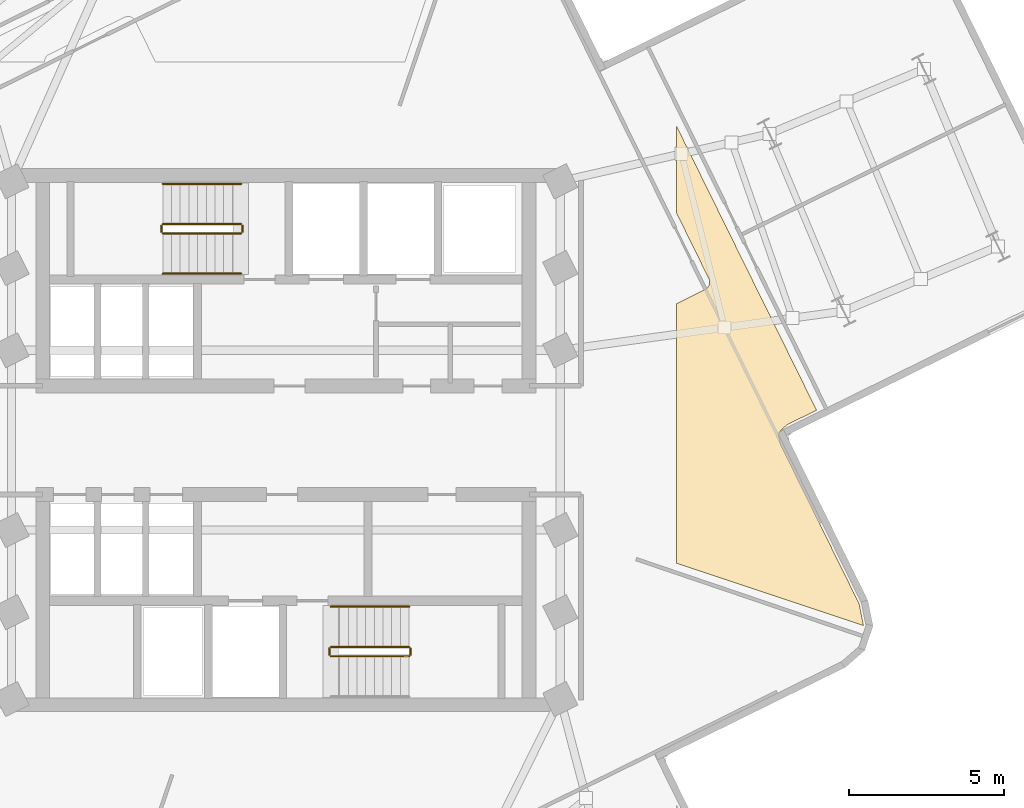
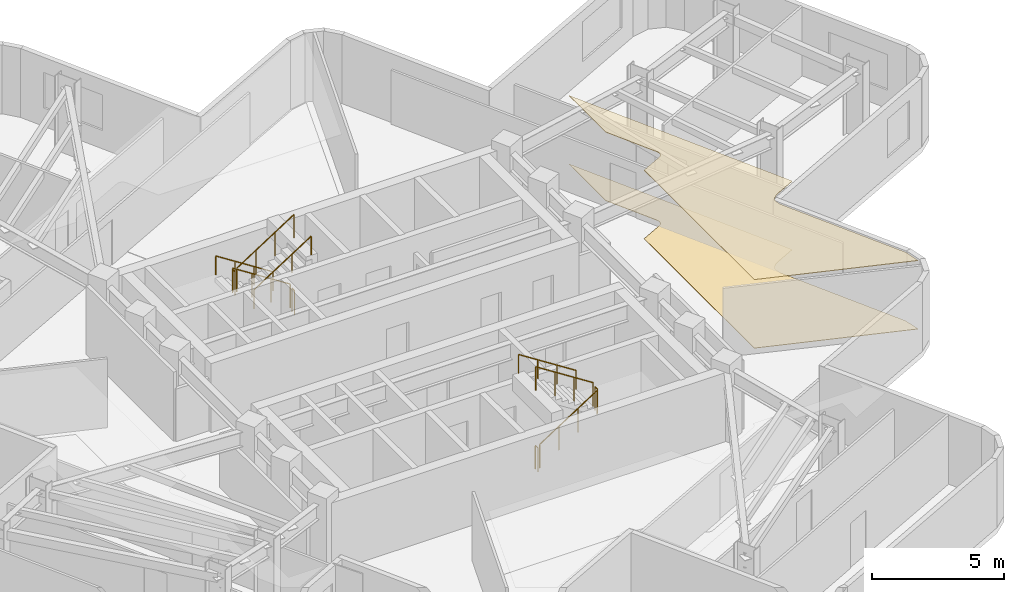
# One storey, part 10 of 11: 11 railings, 2 coverings.
"""IFC4 building model written with IfcOpenShell, lengths in metres."""

from ifc_helpers import new_model, si_unit, direction, frame, origin, origin_2d, place, context, subcontext, project, spatial, polyline, circle, outline, extrude, material, layer, layer_set, type_object, element, save


model = new_model("IFC4")

# Units and contexts
model_context = context("Model", 3, precision=1e-05, world=origin(), true_north=direction((0.0, 1.0)))
body_context = subcontext(model_context, "Body", "Model", "MODEL_VIEW")
ifc_project = project(units=[si_unit("LENGTHUNIT", "METRE"), si_unit("AREAUNIT", "SQUARE_METRE"), si_unit("VOLUMEUNIT", "CUBIC_METRE"), si_unit("PLANEANGLEUNIT", "RADIAN"), si_unit("MASSUNIT", "GRAM", prefix="KILO")], contexts=[model_context])

# Site, building, storey
site_placement = place(None, origin())
site = spatial("IfcSite", under=ifc_project, at=site_placement, CompositionType="ELEMENT")
building_placement = place(site_placement, origin())
building = spatial("IfcBuilding", under=site, at=building_placement, Name="Solmarez Civic Tower", CompositionType="ELEMENT")
storey_placement = place(building_placement, frame((0.0, 0.0, 192.60009765625)))
storey = spatial("IfcBuildingStorey", under=building, at=storey_placement, Name="L51", CompositionType="ELEMENT", Elevation=192.60009765625)

# Coverings
ifc_material_1 = material(Name="Perforated Mineral-Fibre Acoustic Ceiling")
ifc_layer_1 = layer(ifc_material_1, 0.02490234375)
ifc_layer_set_1 = layer_set([ifc_layer_1], Name="Perforated Mineral-Fibre Acoustic Ceiling")
covering_type_1 = type_object("IfcCoveringType", Name="COV-CEIL-ACOUSTIC", PredefinedType="CEILING", material=ifc_layer_set_1)
covering_1_placement = place(storey_placement, frame((0.0, 0.0, 3.1748046875)))
element("IfcCovering", 1, at=covering_1_placement, inside=storey, type_object=covering_type_1, Name="L51 Suspended Acoustic Ceiling 4", PredefinedType="CEILING", context=body_context, shape_type="SweptSolid", body=[
    extrude(outline(polyline([(12.60009765625, 10.12890625), (12.60009765625, 7.324951171875), (13.639892578125, 5.212890625), (13.64794921875, 5.196044921875), (13.654052734375, 5.177978515625), (13.658935546875, 5.158935546875), (13.659912109375, 5.154052734375), (13.660888671875, 5.14892578125), (13.6640625, 5.1279296875), (13.6650390625, 5.117919921875), (13.666015625, 5.094970703125), (13.6650390625, 5.072021484375), (13.6640625, 5.06298828125), (13.660888671875, 5.04296875), (13.656005859375, 5.02392578125), (13.64892578125, 5.0048828125), (13.64697265625, 5.0), (13.64404296875, 4.992919921875), (13.639892578125, 4.98388671875), (13.6259765625, 4.9560546875), (13.62109375, 4.947998046875), (13.60595703125, 4.927978515625), (13.590087890625, 4.908935546875), (13.5859375, 4.905029296875), (13.56689453125, 4.888916015625), (13.547119140625, 4.8740234375), (13.5419921875, 4.8720703125), (13.532958984375, 4.865966796875), (13.514892578125, 4.85595703125), (12.60009765625, 4.405029296875), (12.60009765625, -3.970947265625), (18.625, -5.98095703125), (18.6279296875, -5.97412109375), (18.489990234375, -5.279052734375), (15.969970703125, -0.16796875), (15.967041015625, -0.162109375), (15.958984375, -0.14404296875), (15.951904296875, -0.1240234375), (15.949951171875, -0.116943359375), (15.947998046875, -0.110107421875), (15.944091796875, -0.092041015625), (15.910888671875, 0.076904296875), (15.908935546875, 0.087890625), (15.907958984375, 0.09912109375), (15.906982421875, 0.10693359375), (15.905029296875, 0.134033203125), (15.905029296875, 0.14111328125), (15.906982421875, 0.16796875), (15.909912109375, 0.18701171875), (15.912109375, 0.194091796875), (15.9140625, 0.2060546875), (15.9189453125, 0.22509765625), (15.926025390625, 0.242919921875), (15.931884765625, 0.257080078125), (15.943115234375, 0.279052734375), (15.947021484375, 0.285888671875), (15.955078125, 0.299072265625), (15.958984375, 0.304931640625), (15.972900390625, 0.323974609375), (15.97802734375, 0.330078125), (15.990966796875, 0.344970703125), (15.99609375, 0.35009765625), (16.007080078125, 0.35888671875), (16.136962890625, 0.472900390625), (16.14501953125, 0.47998046875), (16.14990234375, 0.48388671875), (16.1650390625, 0.4951171875), (16.1708984375, 0.4990234375), (16.195068359375, 0.512939453125), (16.201904296875, 0.51611328125), (17.115966796875, 0.967041015625), (12.60009765625, 10.12890625)])), origin(), (0.0, 0.0, 1.0), 0.025146484375),
])
ifc_material_2 = material(Name="Polished Tropical Stone Terrazzo Flooring", Category="masonry")
ifc_layer_2 = layer(ifc_material_2, 0.02001953125)
ifc_layer_set_2 = layer_set([ifc_layer_2], Name="Polished Tropical Stone Terrazzo Flooring")
covering_type_2 = type_object("IfcCoveringType", Name="COV-FLOOR-TERRAZZO", PredefinedType="FLOORING", material=ifc_layer_set_2)
covering_2_placement = place(storey_placement, origin())
element("IfcCovering", 2, at=covering_2_placement, inside=storey, type_object=covering_type_2, Name="L51 Terrazzo Floor Finish 4", PredefinedType="FLOORING", context=body_context, shape_type="SweptSolid", body=[
    extrude(outline(polyline([(12.60009765625, 10.12890625), (12.60009765625, 7.324951171875), (13.639892578125, 5.212890625), (13.64794921875, 5.196044921875), (13.654052734375, 5.177978515625), (13.658935546875, 5.158935546875), (13.659912109375, 5.154052734375), (13.660888671875, 5.14892578125), (13.6640625, 5.1279296875), (13.6650390625, 5.117919921875), (13.666015625, 5.094970703125), (13.6650390625, 5.072021484375), (13.6640625, 5.06298828125), (13.660888671875, 5.04296875), (13.656005859375, 5.02392578125), (13.64892578125, 5.0048828125), (13.64697265625, 5.0), (13.64404296875, 4.992919921875), (13.639892578125, 4.98388671875), (13.6259765625, 4.9560546875), (13.62109375, 4.947998046875), (13.60595703125, 4.927978515625), (13.590087890625, 4.908935546875), (13.5859375, 4.905029296875), (13.56689453125, 4.888916015625), (13.547119140625, 4.8740234375), (13.5419921875, 4.8720703125), (13.532958984375, 4.865966796875), (13.514892578125, 4.85595703125), (12.60009765625, 4.405029296875), (12.60009765625, -3.970947265625), (18.625, -5.98095703125), (18.6279296875, -5.97412109375), (18.489990234375, -5.279052734375), (15.969970703125, -0.16796875), (15.967041015625, -0.162109375), (15.958984375, -0.14404296875), (15.951904296875, -0.1240234375), (15.949951171875, -0.116943359375), (15.947998046875, -0.110107421875), (15.944091796875, -0.092041015625), (15.910888671875, 0.076904296875), (15.908935546875, 0.087890625), (15.907958984375, 0.09912109375), (15.906982421875, 0.10693359375), (15.905029296875, 0.134033203125), (15.905029296875, 0.14111328125), (15.906982421875, 0.16796875), (15.909912109375, 0.18701171875), (15.912109375, 0.194091796875), (15.9140625, 0.2060546875), (15.9189453125, 0.22509765625), (15.926025390625, 0.242919921875), (15.931884765625, 0.257080078125), (15.943115234375, 0.279052734375), (15.947021484375, 0.285888671875), (15.955078125, 0.299072265625), (15.958984375, 0.304931640625), (15.972900390625, 0.323974609375), (15.97802734375, 0.330078125), (15.990966796875, 0.344970703125), (15.99609375, 0.35009765625), (16.007080078125, 0.35888671875), (16.136962890625, 0.472900390625), (16.14501953125, 0.47998046875), (16.14990234375, 0.48388671875), (16.1650390625, 0.4951171875), (16.1708984375, 0.4990234375), (16.195068359375, 0.512939453125), (16.201904296875, 0.51611328125), (17.115966796875, 0.967041015625), (12.60009765625, 10.12890625)])), origin(), (0.0, 0.0, 1.0), 0.02001953125),
])

# Railings
ifc_material_3 = material(Name="Painted Steel Stairwell Safety Guard", Category="steel")
railing_type_1 = type_object("IfcRailingType", Name="GUARD-STAIR-1120", PredefinedType="BALUSTRADE", material=ifc_material_3)
railing_1_placement = place(storey_placement, frame((-1.449951171875, 6.969970703125, 0.179931640625)))
element("IfcRailing", 3, at=railing_1_placement, inside=storey, type_object=railing_type_1, Name="L51 ST-1 stair guard 1", PredefinedType="BALUSTRADE", context=body_context, shape_type="SweptSolid", body=[
    extrude(circle(Radius=0.02392578125, at=origin_2d()), frame((0.0, 0.0, 1.09619140625), z_axis=(-0.841199657755, 0.0, 0.540724639528), x_axis=(0.0, -1.0, 0.0)), (0.0, 0.0, 1.0), 2.995849609375),
    extrude(circle(Radius=0.02099609375, at=origin_2d()), origin(), (0.0, 0.0, 1.0), 1.072021484375),
    extrude(circle(Radius=0.02099609375, at=origin_2d()), frame((-0.840087890625, 0.0, 0.5400390625)), (0.0, 0.0, 1.0), 1.072021484375),
    extrude(circle(Radius=0.02099609375, at=origin_2d()), frame((-1.679931640625, 0.0, 1.079833984375)), (0.0, 0.0, 1.0), 1.072021484375),
    extrude(circle(Radius=0.02099609375, at=origin_2d()), frame((-2.52001953125, 0.0, 1.619873046875)), (0.0, 0.0, 1.0), 1.072021484375),
])
railing_2_placement = place(storey_placement, frame((-4.02001953125, 6.919921875, 1.7998046875)))
element("IfcRailing", 4, at=railing_2_placement, inside=storey, type_object=railing_type_1, Name="L51 ST-1 stair guard 2", PredefinedType="BALUSTRADE", context=body_context, shape_type="SweptSolid", body=[
    extrude(circle(Radius=0.02392578125, at=origin_2d()), frame((0.0, 0.0, 1.09619140625), z_axis=(0.0, -1.0, 0.0), x_axis=(1.0, 0.0, 0.0)), (0.0, 0.0, 1.0), 0.199951171875),
    extrude(circle(Radius=0.02099609375, at=origin_2d()), origin(), (0.0, 0.0, 1.0), 1.072021484375),
    extrude(circle(Radius=0.02099609375, at=origin_2d()), frame((0.0, -0.199951171875, 0.0)), (0.0, 0.0, 1.0), 1.072021484375),
])
railing_3_placement = place(storey_placement, frame((-3.969970703125, 6.669921875, 1.97998046875)))
element("IfcRailing", 5, at=railing_3_placement, inside=storey, type_object=railing_type_1, Name="L51 ST-1 stair guard 3", PredefinedType="BALUSTRADE", context=body_context, shape_type="SweptSolid", body=[
    extrude(circle(Radius=0.02392578125, at=origin_2d()), frame((0.0, 0.0, 1.09619140625), z_axis=(0.841199657755, 0.0, 0.540724639528), x_axis=(0.0, 1.0, 0.0)), (0.0, 0.0, 1.0), 2.995849609375),
    extrude(circle(Radius=0.02099609375, at=origin_2d()), origin(), (0.0, 0.0, 1.0), 1.072021484375),
    extrude(circle(Radius=0.02099609375, at=origin_2d()), frame((0.840087890625, 0.0, 0.5400390625)), (0.0, 0.0, 1.0), 1.072021484375),
    extrude(circle(Radius=0.02099609375, at=origin_2d()), frame((1.679931640625, 0.0, 1.079833984375)), (0.0, 0.0, 1.0), 1.072021484375),
    extrude(circle(Radius=0.02099609375, at=origin_2d()), frame((2.52001953125, 0.0, 1.619873046875)), (0.0, 0.0, 1.0), 1.072021484375),
])
railing_4_placement = place(storey_placement, frame((-1.39990234375, 6.919921875, 0.0)))
element("IfcRailing", 6, at=railing_4_placement, inside=storey, type_object=railing_type_1, Name="L51 ST-1 stair guard 4", PredefinedType="BALUSTRADE", context=body_context, shape_type="SweptSolid", body=[
    extrude(circle(Radius=0.02392578125, at=origin_2d()), frame((0.0, 0.0, 1.09619140625), z_axis=(0.0, -1.0, 0.0), x_axis=(1.0, 0.0, 0.0)), (0.0, 0.0, 1.0), 0.199951171875),
    extrude(circle(Radius=0.02099609375, at=origin_2d()), origin(), (0.0, 0.0, 1.0), 1.072021484375),
    extrude(circle(Radius=0.02099609375, at=origin_2d()), frame((0.0, -0.199951171875, 0.0)), (0.0, 0.0, 1.0), 1.072021484375),
])
railing_5_placement = place(storey_placement, frame((1.449951171875, -6.969970703125, 0.179931640625)))
element("IfcRailing", 7, at=railing_5_placement, inside=storey, type_object=railing_type_1, Name="L51 ST-2 stair guard 1", PredefinedType="BALUSTRADE", context=body_context, shape_type="SweptSolid", body=[
    extrude(circle(Radius=0.02392578125, at=origin_2d()), frame((0.0, 0.0, 1.09619140625), z_axis=(0.841199657755, 0.0, 0.540724639528), x_axis=(0.0, 1.0, 0.0)), (0.0, 0.0, 1.0), 2.995849609375),
    extrude(circle(Radius=0.02099609375, at=origin_2d()), origin(), (0.0, 0.0, 1.0), 1.072021484375),
    extrude(circle(Radius=0.02099609375, at=origin_2d()), frame((0.840087890625, 0.0, 0.5400390625)), (0.0, 0.0, 1.0), 1.072021484375),
    extrude(circle(Radius=0.02099609375, at=origin_2d()), frame((1.679931640625, 0.0, 1.079833984375)), (0.0, 0.0, 1.0), 1.072021484375),
    extrude(circle(Radius=0.02099609375, at=origin_2d()), frame((2.52001953125, 0.0, 1.619873046875)), (0.0, 0.0, 1.0), 1.072021484375),
])
railing_6_placement = place(storey_placement, frame((4.02001953125, -6.919921875, 1.7998046875)))
element("IfcRailing", 8, at=railing_6_placement, inside=storey, type_object=railing_type_1, Name="L51 ST-2 stair guard 2", PredefinedType="BALUSTRADE", context=body_context, shape_type="SweptSolid", body=[
    extrude(circle(Radius=0.02392578125, at=origin_2d()), frame((0.0, 0.0, 1.09619140625), z_axis=(0.0, 1.0, 0.0), x_axis=(-1.0, 0.0, 0.0)), (0.0, 0.0, 1.0), 0.199951171875),
    extrude(circle(Radius=0.02099609375, at=origin_2d()), origin(), (0.0, 0.0, 1.0), 1.072021484375),
    extrude(circle(Radius=0.02099609375, at=origin_2d()), frame((0.0, 0.199951171875, 0.0)), (0.0, 0.0, 1.0), 1.072021484375),
])
railing_7_placement = place(storey_placement, frame((3.969970703125, -6.669921875, 1.97998046875)))
element("IfcRailing", 9, at=railing_7_placement, inside=storey, type_object=railing_type_1, Name="L51 ST-2 stair guard 3", PredefinedType="BALUSTRADE", context=body_context, shape_type="SweptSolid", body=[
    extrude(circle(Radius=0.02392578125, at=origin_2d()), frame((0.0, 0.0, 1.09619140625), z_axis=(-0.841199657755, 0.0, 0.540724639528), x_axis=(0.0, -1.0, 0.0)), (0.0, 0.0, 1.0), 2.995849609375),
    extrude(circle(Radius=0.02099609375, at=origin_2d()), origin(), (0.0, 0.0, 1.0), 1.072021484375),
    extrude(circle(Radius=0.02099609375, at=origin_2d()), frame((-0.840087890625, 0.0, 0.5400390625)), (0.0, 0.0, 1.0), 1.072021484375),
    extrude(circle(Radius=0.02099609375, at=origin_2d()), frame((-1.679931640625, 0.0, 1.079833984375)), (0.0, 0.0, 1.0), 1.072021484375),
    extrude(circle(Radius=0.02099609375, at=origin_2d()), frame((-2.52001953125, 0.0, 1.619873046875)), (0.0, 0.0, 1.0), 1.072021484375),
])
railing_8_placement = place(storey_placement, frame((1.39990234375, -6.919921875, 0.0)))
element("IfcRailing", 10, at=railing_8_placement, inside=storey, type_object=railing_type_1, Name="L51 ST-2 stair guard 4", PredefinedType="BALUSTRADE", context=body_context, shape_type="SweptSolid", body=[
    extrude(circle(Radius=0.02392578125, at=origin_2d()), frame((0.0, 0.0, 1.09619140625), z_axis=(0.0, 1.0, 0.0), x_axis=(-1.0, 0.0, 0.0)), (0.0, 0.0, 1.0), 0.199951171875),
    extrude(circle(Radius=0.02099609375, at=origin_2d()), origin(), (0.0, 0.0, 1.0), 1.072021484375),
    extrude(circle(Radius=0.02099609375, at=origin_2d()), frame((0.0, 0.199951171875, 0.0)), (0.0, 0.0, 1.0), 1.072021484375),
])
ifc_material_4 = material(Name="Brushed Stainless Steel Tube Handrail", Category="steel")
railing_type_2 = type_object("IfcRailingType", Name="HANDRAIL-STAIR-900", PredefinedType="HANDRAIL", material=ifc_material_4)
railing_9_placement = place(storey_placement, frame((-1.449951171875, 8.27001953125, 0.179931640625)))
element("IfcRailing", 11, at=railing_9_placement, inside=storey, type_object=railing_type_2, Name="L51 ST-1 stair handrail 1", PredefinedType="HANDRAIL", context=body_context, shape_type="SweptSolid", body=[
    extrude(circle(Radius=0.02392578125, at=origin_2d()), frame((0.0, 0.0, 0.8759765625), z_axis=(-0.841199657755, 0.0, 0.540724639528), x_axis=(0.0, -1.0, 0.0)), (0.0, 0.0, 1.0), 2.995849609375),
    extrude(circle(Radius=0.02099609375, at=origin_2d()), origin(), (0.0, 0.0, 1.0), 0.851806640625),
    extrude(circle(Radius=0.02099609375, at=origin_2d()), frame((-0.840087890625, 0.0, 0.5400390625)), (0.0, 0.0, 1.0), 0.851806640625),
    extrude(circle(Radius=0.02099609375, at=origin_2d()), frame((-1.679931640625, 0.0, 1.079833984375)), (0.0, 0.0, 1.0), 0.851806640625),
    extrude(circle(Radius=0.02099609375, at=origin_2d()), frame((-2.52001953125, 0.0, 1.619873046875)), (0.0, 0.0, 1.0), 0.851806640625),
])
railing_10_placement = place(storey_placement, frame((-3.969970703125, 5.3701171875, 1.97998046875)))
element("IfcRailing", 12, at=railing_10_placement, inside=storey, type_object=railing_type_2, Name="L51 ST-1 stair handrail 2", PredefinedType="HANDRAIL", context=body_context, shape_type="SweptSolid", body=[
    extrude(circle(Radius=0.02392578125, at=origin_2d()), frame((0.0, 0.0, 0.8759765625), z_axis=(0.841199657755, 0.0, 0.540724639528), x_axis=(0.0, 1.0, 0.0)), (0.0, 0.0, 1.0), 2.995849609375),
    extrude(circle(Radius=0.02099609375, at=origin_2d()), origin(), (0.0, 0.0, 1.0), 0.851806640625),
    extrude(circle(Radius=0.02099609375, at=origin_2d()), frame((0.840087890625, 0.0, 0.5400390625)), (0.0, 0.0, 1.0), 0.851806640625),
    extrude(circle(Radius=0.02099609375, at=origin_2d()), frame((1.679931640625, 0.0, 1.079833984375)), (0.0, 0.0, 1.0), 0.851806640625),
    extrude(circle(Radius=0.02099609375, at=origin_2d()), frame((2.52001953125, 0.0, 1.619873046875)), (0.0, 0.0, 1.0), 0.851806640625),
])
railing_11_placement = place(storey_placement, frame((3.969970703125, -5.3701171875, 1.97998046875)))
element("IfcRailing", 13, at=railing_11_placement, inside=storey, type_object=railing_type_2, Name="L51 ST-2 stair handrail 2", PredefinedType="HANDRAIL", context=body_context, shape_type="SweptSolid", body=[
    extrude(circle(Radius=0.02392578125, at=origin_2d()), frame((0.0, 0.0, 0.8759765625), z_axis=(-0.841199657755, 0.0, 0.540724639528), x_axis=(0.0, -1.0, 0.0)), (0.0, 0.0, 1.0), 2.995849609375),
    extrude(circle(Radius=0.02099609375, at=origin_2d()), origin(), (0.0, 0.0, 1.0), 0.851806640625),
    extrude(circle(Radius=0.02099609375, at=origin_2d()), frame((-0.840087890625, 0.0, 0.5400390625)), (0.0, 0.0, 1.0), 0.851806640625),
    extrude(circle(Radius=0.02099609375, at=origin_2d()), frame((-1.679931640625, 0.0, 1.079833984375)), (0.0, 0.0, 1.0), 0.851806640625),
    extrude(circle(Radius=0.02099609375, at=origin_2d()), frame((-2.52001953125, 0.0, 1.619873046875)), (0.0, 0.0, 1.0), 0.851806640625),
])

save(model, "model.ifc")
